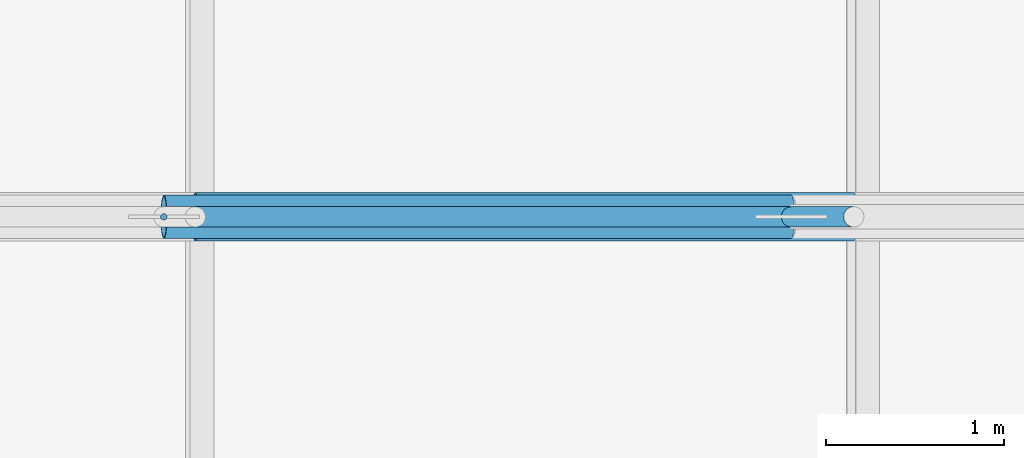
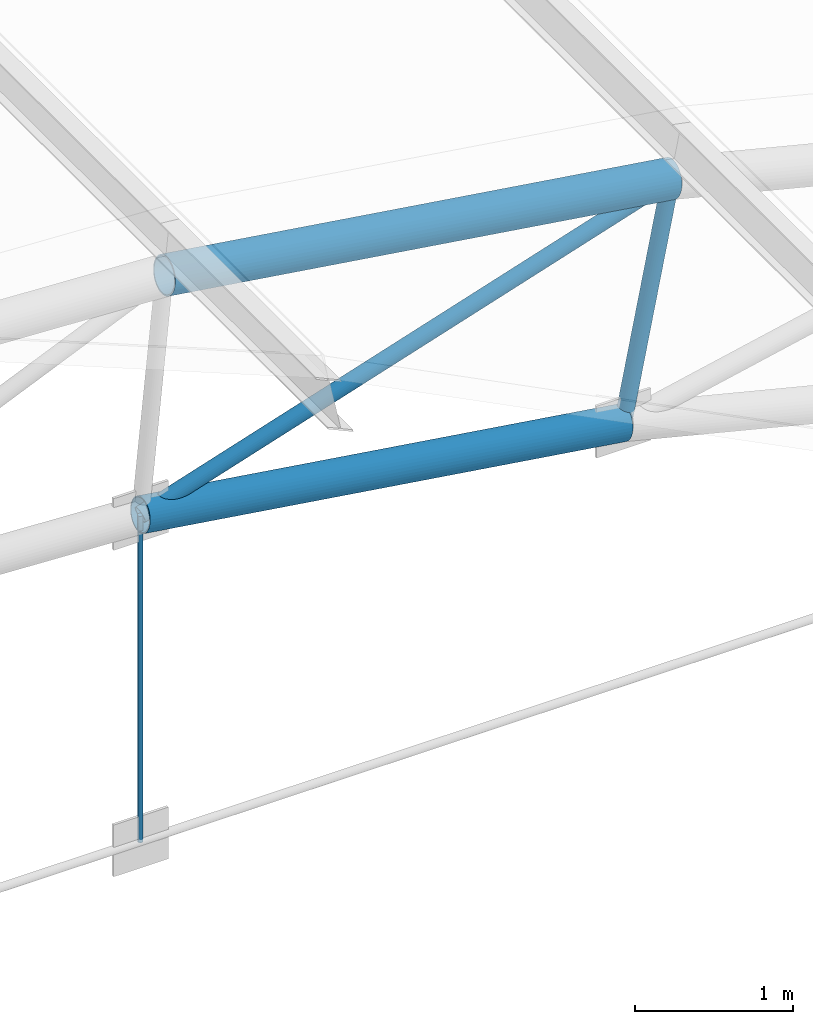
# One storey, part 221 of 321: 5 members.
"""IFC4 building model written with IfcOpenShell, lengths in metres."""

import ifcopenshell
import ifcopenshell.guid

model = None  # the IFC model being written
_history = None  # IfcOwnerHistory: only IFC2X3 demands one
_inside = {}  # id of a spatial element -> (the spatial element, [elements in it])
_under = {}  # id of a project, library or spatial element -> (it, [spatial elements below it])
_declared = {}  # id of a project -> (the project, [libraries it declares])
_typed = {}  # id of a type object -> (the type object, [elements of that type])
_made_of = {}  # id of a material, layer set ... -> (it, [elements and type objects made of it])


def new_model(schema):
    """Start an empty IFC model of exactly this schema.

    Asked for "IFC4X3", IfcOpenShell would pick the latest addendum, in which some entities
    have other attributes; the version numbers below select the first issue.
    IFC2X3 requires an IfcOwnerHistory on every rooted entity: one is made here for all.
    """
    global model, _history
    if schema == "IFC4X3":
        model = ifcopenshell.file(schema_version=(4, 3, 0, 0))
    else:
        model = ifcopenshell.file(schema=schema)
    _inside.clear()
    _under.clear()
    _declared.clear()
    _typed.clear()
    _made_of.clear()
    _history = None
    if model.schema == "IFC2X3":
        org = make("IfcOrganization", Name="unknown")
        user = make(
            "IfcPersonAndOrganization",
            ThePerson=make("IfcPerson", FamilyName="unknown"),
            TheOrganization=org,
        )
        app = make(
            "IfcApplication",
            ApplicationDeveloper=org,
            Version="unknown",
            ApplicationFullName="unknown",
            ApplicationIdentifier="unknown",
        )
        _history = make(
            "IfcOwnerHistory",
            OwningUser=user,
            OwningApplication=app,
            ChangeAction="ADDED",
            CreationDate=0,
        )
    return model


def make(cls, **values):
    """One entity of the class cls with the attributes given. An attribute that is None is left unset."""
    return model.create_entity(
        cls, **{name: value for name, value in values.items() if value is not None}
    )


def rooted(cls, **values):
    """An entity with a GlobalId (a new one), such as an element, a storey or a relation."""
    return make(cls, GlobalId=ifcopenshell.guid.new(), OwnerHistory=_history, **values)


def si_unit(unit_type, name, prefix=None):
    """IfcSIUnit, for example si_unit("LENGTHUNIT", "METRE", prefix="MILLI")."""
    return make("IfcSIUnit", UnitType=unit_type, Prefix=prefix, Name=name)


def assignment(units):
    """IfcUnitAssignment: the units of a project."""
    return None if units is None else make("IfcUnitAssignment", Units=units)


def point(xyz):
    """IfcCartesianPoint."""
    return None if xyz is None else make("IfcCartesianPoint", Coordinates=xyz)


def direction(xyz):
    """IfcDirection."""
    return None if xyz is None else make("IfcDirection", DirectionRatios=xyz)


def frame(location, z_axis=None, x_axis=None):
    """IfcAxis2Placement3D, a coordinate frame: its origin and axes. An axis left out is left unset."""
    return make(
        "IfcAxis2Placement3D",
        Location=point(location),
        Axis=direction(z_axis),
        RefDirection=direction(x_axis),
    )


def frame_2d(location, x_axis=None):
    """IfcAxis2Placement2D, a coordinate frame in the plane: its origin and x axis."""
    return make(
        "IfcAxis2Placement2D", Location=point(location), RefDirection=direction(x_axis)
    )


def origin():
    """The frame at (0, 0, 0) with its axes left unset."""
    return frame((0.0, 0.0, 0.0))


def origin_2d():
    """The frame at (0, 0) in the plane with its x axis left unset."""
    return frame_2d((0.0, 0.0))


def place(relative_to, where):
    """IfcLocalPlacement: puts the frame where relative to a parent placement (None: the world)."""
    return make(
        "IfcLocalPlacement", PlacementRelTo=relative_to, RelativePlacement=where
    )


def context(
    kind, dimensions, precision=None, world=None, true_north=None, identifier=None
):
    """IfcGeometricRepresentationContext, for example the 3D "Model" context."""
    return make(
        "IfcGeometricRepresentationContext",
        ContextIdentifier=identifier,
        ContextType=kind,
        CoordinateSpaceDimension=dimensions,
        Precision=precision,
        WorldCoordinateSystem=world,
        TrueNorth=true_north,
    )


def subcontext(parent, identifier, kind, view, scale=None):
    """IfcGeometricRepresentationSubContext, for example "Body" below "Model"."""
    return make(
        "IfcGeometricRepresentationSubContext",
        ContextIdentifier=identifier,
        ContextType=kind,
        ParentContext=parent,
        TargetScale=scale,
        TargetView=view,
    )


def project(units=None, contexts=None):
    """IfcProject with its units and contexts."""
    return rooted(
        "IfcProject",
        Name="project",
        RepresentationContexts=contexts,
        UnitsInContext=assignment(units),
    )


def spatial(cls, under=None, at=None, **own):
    """A site, building, storey or space (cls), placed at a placement, below another one or the project."""
    s = rooted(cls, ObjectPlacement=at, **own)
    if under is not None:
        _under.setdefault(under.id(), (under, []))[1].append(s)
    return s


def profile(cls, at=None, kind="AREA", **sizes):
    """A parametric profile (cls). Its sizes go by their IFC names, for example OverallWidth=200.0."""
    return make(cls, ProfileType=kind, Position=at, **sizes)


def circle(**sizes):
    """IfcCircleProfileDef."""
    return profile("IfcCircleProfileDef", **sizes)


def hollow_circle(**sizes):
    """IfcCircleHollowProfileDef."""
    return profile("IfcCircleHollowProfileDef", **sizes)


def extrude(swept, where, along, depth):
    """IfcExtrudedAreaSolid: the profile swept, set in the frame where, extruded along a direction by depth."""
    return make(
        "IfcExtrudedAreaSolid",
        SweptArea=swept,
        Position=where,
        ExtrudedDirection=direction(along),
        Depth=depth,
    )


def shape(context_of_items, identifier, shape_type, items):
    """IfcShapeRepresentation: the items that make up one representation, for example the "Body"."""
    return make(
        "IfcShapeRepresentation",
        ContextOfItems=context_of_items,
        RepresentationIdentifier=identifier,
        RepresentationType=shape_type,
        Items=items,
    )


def material(Name=None, Category=None):
    """IfcMaterial."""
    return make("IfcMaterial", Name=Name, Category=Category)


def material_profile(
    of_material, cross_section, Name=None, Category=None, Priority=None
):
    """IfcMaterialProfile: a cross section and its material."""
    return make(
        "IfcMaterialProfile",
        Name=Name,
        Material=of_material,
        Profile=cross_section,
        Priority=Priority,
        Category=Category,
    )


def profile_set(profiles, Name=None, composite=None):
    """IfcMaterialProfileSet."""
    return make(
        "IfcMaterialProfileSet",
        Name=Name,
        MaterialProfiles=profiles,
        CompositeProfile=composite,
    )


def made_of(thing, what):
    """Note that an element or type object is made of a material, layer set ...; save() writes the relation."""
    if what is not None:
        _made_of.setdefault(what.id(), (what, []))[1].append(thing)
    return thing


def type_object(cls, material=None, **own):
    """A type object (cls), such as IfcWallType, which elements share."""
    return made_of(rooted(cls, **own), material)


def element(
    cls,
    number,
    at=None,
    inside=None,
    cuts=None,
    type_object=None,
    material=None,
    context=None,
    identifier="Body",
    shape_type=None,
    held_by="IfcProductDefinitionShape",
    body=None,
    shapes=None,
    **own,
):
    """One element of the class cls, such as IfcWall. Its Tag is "e" and its number.

    at: its placement. inside: the storey or other place that contains it. cuts: it is an
    opening in that element (IfcRelVoidsElement). A single representation is given by context,
    identifier, shape_type and body (its items); several are given by shapes. held_by: the class
    of the entity that holds the representations. save() writes the other relations.
    """
    e = rooted(cls, Tag="e%d" % number, ObjectPlacement=at, **own)
    if body is not None:
        shapes = [shape(context, identifier, shape_type, body)]
    if shapes is not None:
        e.Representation = make(held_by, Representations=shapes)
    if inside is not None:
        _inside.setdefault(inside.id(), (inside, []))[1].append(e)
    if cuts is not None:
        rooted(
            "IfcRelVoidsElement", RelatingBuildingElement=cuts, RelatedOpeningElement=e
        )
    if type_object is not None:
        _typed.setdefault(type_object.id(), (type_object, []))[1].append(e)
    return made_of(e, material)


def aggregate(whole, parts):
    """IfcRelAggregates: a whole, such as a stair, and the parts it consists of."""
    return rooted("IfcRelAggregates", RelatingObject=whole, RelatedObjects=parts)


def save(model, path):
    """Write the relations noted so far, then the file.

    IfcRelAggregates (storeys below a building ...), IfcRelContainedInSpatialStructure (elements
    in a storey), IfcRelDefinesByType, IfcRelAssociatesMaterial and IfcRelDeclares: one each for
    every whole, place, type object, material and project.
    """
    for whole, parts in _under.values():
        aggregate(whole, parts)
    for where, things in _inside.values():
        rooted(
            "IfcRelContainedInSpatialStructure",
            RelatedElements=things,
            RelatingStructure=where,
        )
    for kind, things in _typed.values():
        rooted("IfcRelDefinesByType", RelatedObjects=things, RelatingType=kind)
    for what, things in _made_of.values():
        rooted("IfcRelAssociatesMaterial", RelatedObjects=things, RelatingMaterial=what)
    for by, libraries in _declared.values():
        rooted("IfcRelDeclares", RelatingContext=by, RelatedDefinitions=libraries)
    model.write(path)


model = new_model("IFC4")

# Units and contexts
model_context = context("Model", 3, precision=1e-05, world=origin(), true_north=direction((0.0, 1.0)))
body_context = subcontext(model_context, "Body", "Model", "MODEL_VIEW")
ifc_project = project(units=[si_unit("LENGTHUNIT", "METRE"), si_unit("AREAUNIT", "SQUARE_METRE"), si_unit("VOLUMEUNIT", "CUBIC_METRE"), si_unit("PLANEANGLEUNIT", "RADIAN"), si_unit("MASSUNIT", "GRAM", prefix="KILO")], contexts=[model_context])

# Site, building, storey
site_placement = place(None, origin())
site = spatial("IfcSite", under=ifc_project, at=site_placement, CompositionType="ELEMENT")
building_placement = place(site_placement, origin())
building = spatial("IfcBuilding", under=site, at=building_placement, Name="Ravi Spectrum Wholesale Market", CompositionType="ELEMENT")
storey_placement = place(building_placement, frame((0.0, 0.0, 10.800048828125)))
storey = spatial("IfcBuildingStorey", under=building, at=storey_placement, Name="L02", CompositionType="ELEMENT", Elevation=10.800048828125)

# Members
ifc_material_1 = material(Name="Steel S355", Category="steel")
ifc_material_profile_1 = material_profile(ifc_material_1, hollow_circle(Radius=0.05712890625, WallThickness=0.00390625, at=origin_2d()))
ifc_profile_set_1 = profile_set([ifc_material_profile_1], Name="Steel S355")
member_type_1 = type_object("IfcMemberType", Name="CHS 114.3x4 brace", PredefinedType="BRACE", material=ifc_profile_set_1)
member_1_placement = place(storey_placement, frame((187.448486328125, 174.0, 3.767822265625), z_axis=(-0.952400500519, 0.0, -0.304849613108), x_axis=(0.0, -1.0, 0.0)))
element("IfcMember", 1, at=member_1_placement, inside=storey, type_object=member_type_1, Name="H3-MB-L02-155", PredefinedType="BRACE", context=body_context, shape_type="SweptSolid", body=[
    extrude(hollow_circle(Radius=0.05712890625, WallThickness=0.00390625, at=origin_2d()), origin(), (0.0, 0.0, 1.0), 4.076416015625),
])
ifc_material_2 = material(Name="Steel S355", Category="steel")
ifc_material_profile_2 = material_profile(ifc_material_2, hollow_circle(Radius=0.05712890625, WallThickness=0.00390625, at=origin_2d()))
ifc_profile_set_2 = profile_set([ifc_material_profile_2], Name="Steel S355")
member_type_2 = type_object("IfcMemberType", Name="CHS 114.3x4 post", PredefinedType="POST", material=ifc_profile_set_2)
member_2_placement = place(storey_placement, frame((187.448486328125, 174.0, 3.767822265625), z_axis=(-0.194759682352, 0.0, -0.980850990788), x_axis=(0.0, -1.0, 0.0)))
element("IfcMember", 2, at=member_2_placement, inside=storey, type_object=member_type_2, Name="H3-MB-L02-147", PredefinedType="POST", context=body_context, shape_type="SweptSolid", body=[
    extrude(hollow_circle(Radius=0.05712890625, WallThickness=0.00390625, at=origin_2d()), origin(), (0.0, 0.0, 1.0), 1.800048828125),
])
ifc_material_3 = material(Name="Steel S355", Category="steel")
ifc_material_profile_3 = material_profile(ifc_material_3, hollow_circle(Radius=0.122314453125, WallThickness=0.008056640625, at=origin_2d()))
ifc_profile_set_3 = profile_set([ifc_material_profile_3], Name="Steel S355")
member_type_3 = type_object("IfcMemberType", Name="CHS 244.5x8 chord", PredefinedType="CHORD", material=ifc_profile_set_3)
member_3_placement = place(storey_placement, frame((183.566162109375, 174.0, 2.525146484375), z_axis=(0.989214474115, 0.0, -0.146474312426), x_axis=(0.0, 1.0, 0.0)))
element("IfcMember", 3, at=member_3_placement, inside=storey, type_object=member_type_3, Name="H3-MB-L02-137", PredefinedType="CHORD", context=body_context, shape_type="SweptSolid", body=[
    extrude(hollow_circle(Radius=0.122314453125, WallThickness=0.008056640625, at=origin_2d()), origin(), (0.0, 0.0, 1.0), 3.5703125),
])
ifc_material_4 = material(Name="Steel S355", Category="steel")
ifc_material_profile_4 = material_profile(ifc_material_4, hollow_circle(Radius=0.136474609375, WallThickness=0.010009765625, at=origin_2d()))
ifc_profile_set_4 = profile_set([ifc_material_profile_4], Name="Steel S355")
member_type_4 = type_object("IfcMemberType", Name="CHS 273x10 chord", PredefinedType="CHORD", material=ifc_profile_set_4)
member_4_placement = place(storey_placement, frame((183.7421875, 174.0, 4.31640625), z_axis=(0.989222696265, 0.0, -0.146418773368), x_axis=(0.0, 1.0, 0.0)))
element("IfcMember", 4, at=member_4_placement, inside=storey, type_object=member_type_4, Name="H3-MB-L02-127", PredefinedType="CHORD", context=body_context, shape_type="SweptSolid", body=[
    extrude(hollow_circle(Radius=0.136474609375, WallThickness=0.010009765625, at=origin_2d()), origin(), (0.0, 0.0, 1.0), 3.74658203125),
])
ifc_material_5 = material(Name="Steel S355", Category="steel")
ifc_material_profile_5 = material_profile(ifc_material_5, circle(Radius=0.01806640625, at=origin_2d()))
ifc_profile_set_5 = profile_set([ifc_material_profile_5], Name="Steel S355")
member_type_5 = type_object("IfcMemberType", Name="ROD 36 hanger", PredefinedType="STRUT", material=ifc_profile_set_5)
member_5_placement = place(storey_placement, frame((183.566162109375, 174.0, 0.0), z_axis=(0.0, 0.0, 1.0), x_axis=(1.0, 0.0, 0.0)))
element("IfcMember", 5, at=member_5_placement, inside=storey, type_object=member_type_5, Name="H3-MB-L02-160", PredefinedType="STRUT", context=body_context, shape_type="SweptSolid", body=[
    extrude(circle(Radius=0.01806640625, at=origin_2d()), origin(), (0.0, 0.0, 1.0), 2.525146484375),
])

save(model, "model.ifc")
